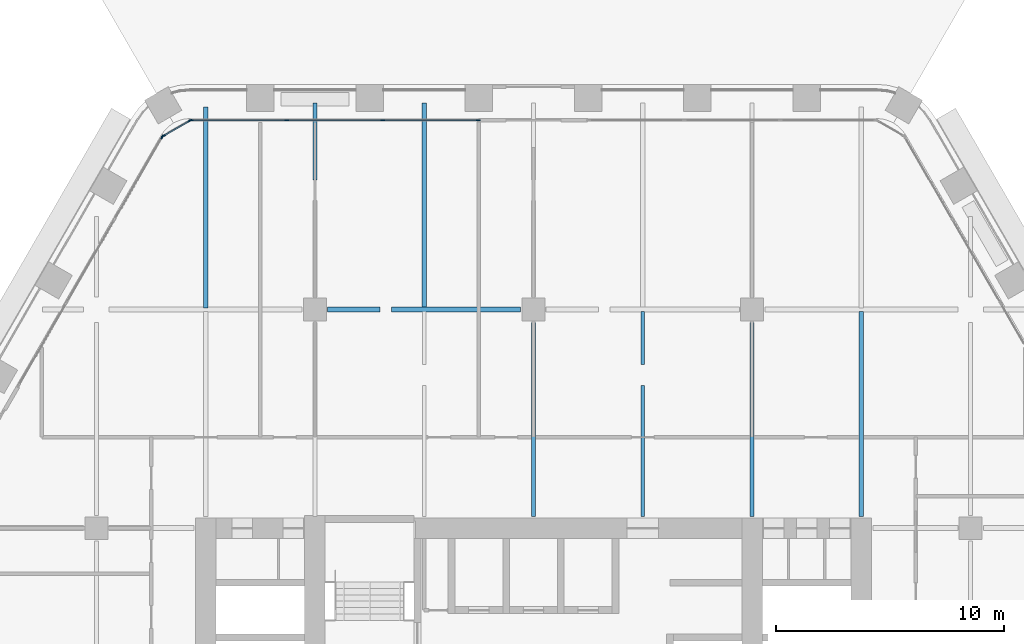
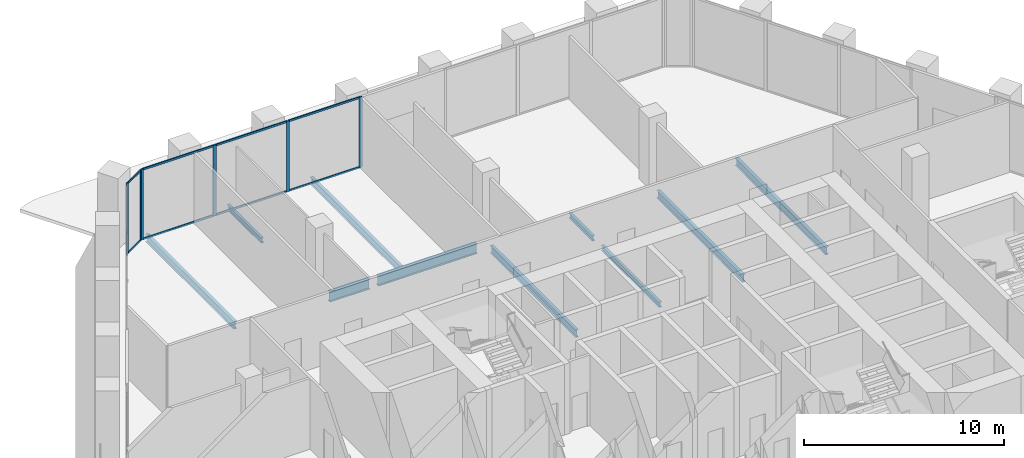
# One storey, part 7 of 23: 15 members, 10 beams, 3 elements without a shape of their own.
"""IFC4 building model written with IfcOpenShell, lengths in metres."""

from ifc_helpers import new_model, si_unit, direction, frame, origin, origin_2d, place, context, subcontext, project, spatial, rectangle, i_section, extrude, material, material_profile, profile_set, type_object, element, aggregate, save


model = new_model("IFC4")

# Units and contexts
model_context = context("Model", 3, precision=1e-05, world=origin(), true_north=direction((0.0, 1.0)))
body_context = subcontext(model_context, "Body", "Model", "MODEL_VIEW")
ifc_project = project(units=[si_unit("LENGTHUNIT", "METRE"), si_unit("AREAUNIT", "SQUARE_METRE"), si_unit("VOLUMEUNIT", "CUBIC_METRE"), si_unit("PLANEANGLEUNIT", "RADIAN"), si_unit("MASSUNIT", "GRAM", prefix="KILO")], contexts=[model_context])

# Site, building, storey
site_placement = place(None, origin())
site = spatial("IfcSite", under=ifc_project, at=site_placement, CompositionType="ELEMENT")
building_placement = place(site_placement, origin())
building = spatial("IfcBuilding", under=site, at=building_placement, Name="Kolab Exchange Tower", CompositionType="ELEMENT")
storey_placement = place(building_placement, frame((0.0, 0.0, 77.89990234375)))
storey = spatial("IfcBuildingStorey", under=building, at=storey_placement, Name="L14", CompositionType="ELEMENT", Elevation=77.89990234375)

# Beams
ifc_material_1 = material(Name="Steel S355", Category="steel")
ifc_material_profile_1 = material_profile(ifc_material_1, i_section(OverallWidth=0.1650390625, OverallDepth=0.31005859375, WebThickness=0.005859375, FlangeThickness=0.009765625, at=origin_2d()), Name="W310X39")
ifc_profile_set_1 = profile_set([ifc_material_profile_1], Name="Steel S355")
beam_type_1 = type_object("IfcBeamType", Name="FLOOR BEAM W310X39", PredefinedType="BEAM", material=ifc_profile_set_1)
beam_1_placement = place(storey_placement, frame((-9.60009765625, 24.892578125, -0.35498046875), z_axis=(0.0, 1.0, 0.0), x_axis=(-1.0, 0.0, 0.0)))
element("IfcBeam", 1, at=beam_1_placement, inside=storey, type_object=beam_type_1, Name="beam/L14/fr/020", PredefinedType="BEAM", context=body_context, shape_type="SweptSolid", body=[
    extrude(i_section(OverallWidth=0.1650390625, OverallDepth=0.31005859375, WebThickness=0.005859375, FlangeThickness=0.009765625, at=origin_2d()), origin(), (0.0, 0.0, 1.0), 3.39599609375),
])
beam_2_placement = place(storey_placement, frame((4.800048828125, 10.110107421875, -0.35498046875), z_axis=(0.0, 1.0, 0.0), x_axis=(-1.0, 0.0, 0.0)))
element("IfcBeam", 2, at=beam_2_placement, inside=storey, type_object=beam_type_1, Name="beam/L14/fr/036", PredefinedType="BEAM", context=body_context, shape_type="SweptSolid", body=[
    extrude(i_section(OverallWidth=0.1650390625, OverallDepth=0.31005859375, WebThickness=0.005859375, FlangeThickness=0.009765625, at=origin_2d()), origin(), (0.0, 0.0, 1.0), 5.7666015625),
])
beam_3_placement = place(storey_placement, frame((4.800048828125, 16.77880859375, -0.35498046875), z_axis=(0.0, 1.0, 0.0), x_axis=(-1.0, 0.0, 0.0)))
element("IfcBeam", 3, at=beam_3_placement, inside=storey, type_object=beam_type_1, Name="beam/L14/fr/037", PredefinedType="BEAM", context=body_context, shape_type="SweptSolid", body=[
    extrude(i_section(OverallWidth=0.1650390625, OverallDepth=0.31005859375, WebThickness=0.005859375, FlangeThickness=0.009765625, at=origin_2d()), origin(), (0.0, 0.0, 1.0), 2.34716796875),
])
ifc_material_profile_2 = material_profile(ifc_material_1, i_section(OverallWidth=0.18994140625, OverallDepth=0.45703125, WebThickness=0.009033203125, FlangeThickness=0.014404296875, at=origin_2d()), Name="W460X74")
ifc_profile_set_2 = profile_set([ifc_material_profile_2], Name="Steel S355")
beam_type_2 = type_object("IfcBeamType", Name="FLOOR BEAM W460X74", PredefinedType="BEAM", material=ifc_profile_set_2)
beam_4_placement = place(storey_placement, frame((-14.39990234375, 19.27392578125, -0.428466796875), z_axis=(0.0, 1.0, 0.0), x_axis=(-1.0, 0.0, 0.0)))
element("IfcBeam", 4, at=beam_4_placement, inside=storey, type_object=beam_type_2, Name="beam/L14/fr/015", PredefinedType="BEAM", context=body_context, shape_type="SweptSolid", body=[
    extrude(i_section(OverallWidth=0.18994140625, OverallDepth=0.45703125, WebThickness=0.009033203125, FlangeThickness=0.014404296875, at=origin_2d()), origin(), (0.0, 0.0, 1.0), 8.8330078125),
])
beam_5_placement = place(storey_placement, frame((-4.800048828125, 19.27392578125, -0.428466796875), z_axis=(0.0, 1.0, 0.0), x_axis=(-1.0, 0.0, 0.0)))
element("IfcBeam", 5, at=beam_5_placement, inside=storey, type_object=beam_type_2, Name="beam/L14/fr/026", PredefinedType="BEAM", context=body_context, shape_type="SweptSolid", body=[
    extrude(i_section(OverallWidth=0.18994140625, OverallDepth=0.45703125, WebThickness=0.009033203125, FlangeThickness=0.014404296875, at=origin_2d()), origin(), (0.0, 0.0, 1.0), 9.0146484375),
])
for number, where, z_axis, x_axis, name in (
    (6, (0.0, 10.110107421875, -0.428466796875), (0.0, 1.0, 0.0), (-1.0, 0.0, 0.0), "beam/L14/fr/030"),
    (7, (9.60009765625, 10.110107421875, -0.428466796875), (0.0, 1.0, 0.0), (-1.0, 0.0, 0.0), "beam/L14/fr/042"),
):
    element("IfcBeam", number, at=place(storey_placement, frame(where, z_axis=z_axis, x_axis=x_axis)), inside=storey, type_object=beam_type_2, Name=name, PredefinedType="BEAM", context=body_context, shape_type="SweptSolid", body=[
        extrude(i_section(OverallWidth=0.18994140625, OverallDepth=0.45703125, WebThickness=0.009033203125, FlangeThickness=0.014404296875, at=origin_2d()), origin(), (0.0, 0.0, 1.0), 8.52978515625),
    ])
beam_6_placement = place(storey_placement, frame((14.39990234375, 10.110107421875, -0.428466796875), z_axis=(0.0, 1.0, 0.0), x_axis=(-1.0, 0.0, 0.0)))
element("IfcBeam", 8, at=beam_6_placement, inside=storey, type_object=beam_type_2, Name="beam/L14/fr/046", PredefinedType="BEAM", context=body_context, shape_type="SweptSolid", body=[
    extrude(i_section(OverallWidth=0.18994140625, OverallDepth=0.45703125, WebThickness=0.009033203125, FlangeThickness=0.014404296875, at=origin_2d()), origin(), (0.0, 0.0, 1.0), 9.015869140625),
])
ifc_material_profile_3 = material_profile(ifc_material_1, i_section(OverallWidth=0.22802734375, OverallDepth=0.60791015625, WebThickness=0.01123046875, FlangeThickness=0.017333984375, at=origin_2d()), Name="W610X113")
ifc_profile_set_3 = profile_set([ifc_material_profile_3], Name="Steel S355")
beam_type_3 = type_object("IfcBeamType", Name="FLOOR GIRDER W610X113", PredefinedType="BEAM", material=ifc_profile_set_3)
beam_7_placement = place(storey_placement, frame((-9.0400390625, 19.199951171875, -0.50390625), z_axis=(1.0, 0.0, 0.0), x_axis=(0.0, 1.0, 0.0)))
element("IfcBeam", 9, at=beam_7_placement, inside=storey, type_object=beam_type_3, Name="beam/L14/gd/012", PredefinedType="BEAM", context=body_context, shape_type="SweptSolid", body=[
    extrude(i_section(OverallWidth=0.22802734375, OverallDepth=0.60791015625, WebThickness=0.01123046875, FlangeThickness=0.017333984375, at=origin_2d()), origin(), (0.0, 0.0, 1.0), 2.290283203125),
])
beam_8_placement = place(storey_placement, frame((-6.248779296875, 19.199951171875, -0.50390625), z_axis=(1.0, 0.0, 0.0), x_axis=(0.0, 1.0, 0.0)))
element("IfcBeam", 10, at=beam_8_placement, inside=storey, type_object=beam_type_3, Name="beam/L14/gd/013", PredefinedType="BEAM", context=body_context, shape_type="SweptSolid", body=[
    extrude(i_section(OverallWidth=0.22802734375, OverallDepth=0.60791015625, WebThickness=0.01123046875, FlangeThickness=0.017333984375, at=origin_2d()), origin(), (0.0, 0.0, 1.0), 5.688720703125),
])

# Curtain wall, members
ifc_material_2 = material(Name="Aluminium EN AW-6063 T6", Category="aluminium")
curtain_wall_type = type_object("IfcCurtainWallType", Name="UNITISED LOWER MID ZONE CURTAIN WALL", PredefinedType="NOTDEFINED", material=ifc_material_2)
curtain_wall_1_placement = place(storey_placement, origin())
curtain_wall_1 = element("IfcCurtainWall", 11, at=curtain_wall_1_placement, inside=storey, type_object=curtain_wall_type, Name="cw/L14/F1-1", PredefinedType="NOTDEFINED")
ifc_material_profile_4 = material_profile(ifc_material_2, rectangle(XDim=0.06005859375, YDim=0.179931640625, at=origin_2d()), Name="RECT 60X180")
ifc_profile_set_4 = profile_set([ifc_material_profile_4], Name="Aluminium EN AW-6063 T6")
member_type_1 = type_object("IfcMemberType", Name="UNITISED LOWER MID ZONE MULLION 60 X 180", PredefinedType="MULLION", material=ifc_profile_set_4)
member_1_placement = place(storey_placement, frame((-15.037841796875, 27.5185546875, 0.0), z_axis=(0.0, 0.0, 1.0), x_axis=(0.0, 1.0, 0.0)))
member_1 = element("IfcMember", 12, at=member_1_placement, type_object=member_type_1, Name="CW2 mullion 1", PredefinedType="MULLION", context=body_context, shape_type="SweptSolid", body=[
    extrude(rectangle(XDim=0.06005859375, YDim=0.179931640625, at=origin_2d()), origin(), (0.0, 0.0, 1.0), 4.300048828125),
])
member_2_placement = place(storey_placement, frame((-10.84521484375, 27.5185546875, 0.0), z_axis=(0.0, 0.0, 1.0), x_axis=(0.0, 1.0, 0.0)))
member_2 = element("IfcMember", 13, at=member_2_placement, type_object=member_type_1, Name="CW2 mullion 2", PredefinedType="MULLION", context=body_context, shape_type="SweptSolid", body=[
    extrude(rectangle(XDim=0.06005859375, YDim=0.179931640625, at=origin_2d()), origin(), (0.0, 0.0, 1.0), 4.300048828125),
])
member_3_placement = place(storey_placement, frame((-6.62255859375, 27.5185546875, 0.0), z_axis=(0.0, 0.0, 1.0), x_axis=(0.0, 1.0, 0.0)))
member_3 = element("IfcMember", 14, at=member_3_placement, type_object=member_type_1, Name="CW2 mullion 3", PredefinedType="MULLION", context=body_context, shape_type="SweptSolid", body=[
    extrude(rectangle(XDim=0.06005859375, YDim=0.179931640625, at=origin_2d()), origin(), (0.0, 0.0, 1.0), 4.300048828125),
])
member_4_placement = place(storey_placement, frame((-2.429931640625, 27.5185546875, 0.0), z_axis=(0.0, 0.0, 1.0), x_axis=(0.0, 1.0, 0.0)))
member_4 = element("IfcMember", 15, at=member_4_placement, type_object=member_type_1, Name="CW2 mullion 4", PredefinedType="MULLION", context=body_context, shape_type="SweptSolid", body=[
    extrude(rectangle(XDim=0.06005859375, YDim=0.179931640625, at=origin_2d()), origin(), (0.0, 0.0, 1.0), 4.300048828125),
])

# Curtain wall, member
curtain_wall_2_placement = place(storey_placement, origin())
curtain_wall_2 = element("IfcCurtainWall", 16, at=curtain_wall_2_placement, inside=storey, type_object=curtain_wall_type, Name="cw/L14/F6-2", PredefinedType="NOTDEFINED")
member_5_placement = place(storey_placement, frame((-16.312744140625, 26.782470703125, 0.0), z_axis=(0.0, 0.0, 1.0), x_axis=(-0.866025393644, 0.500000017564, 0.0)))
member_5 = element("IfcMember", 17, at=member_5_placement, type_object=member_type_1, Name="CW2 mullion 4", PredefinedType="MULLION", context=body_context, shape_type="SweptSolid", body=[
    extrude(rectangle(XDim=0.06005859375, YDim=0.179931640625, at=origin_2d()), origin(), (0.0, 0.0, 1.0), 4.300048828125),
])
aggregate(curtain_wall_2, [member_5])

# Curtain wall, members
curtain_wall_3_placement = place(storey_placement, origin())
curtain_wall_3 = element("IfcCurtainWall", 18, at=curtain_wall_3_placement, inside=storey, type_object=curtain_wall_type, Name="cw/L14/F6F1-corner", PredefinedType="NOTDEFINED")
member_6_placement = place(storey_placement, frame((-16.271728515625, 26.823486328125, 0.0), z_axis=(0.0, 0.0, 1.0), x_axis=(-0.50000002237, 0.866025390869, 0.0)))
member_6 = element("IfcMember", 19, at=member_6_placement, type_object=member_type_1, Name="CW2 mullion 1", PredefinedType="MULLION", context=body_context, shape_type="SweptSolid", body=[
    extrude(rectangle(XDim=0.06005859375, YDim=0.179931640625, at=origin_2d()), origin(), (0.0, 0.0, 1.0), 4.300048828125),
])
member_7_placement = place(storey_placement, frame((-15.093994140625, 27.50341796875, 0.0), z_axis=(0.0, 0.0, 1.0), x_axis=(-0.50000002237, 0.866025390869, 0.0)))
member_7 = element("IfcMember", 20, at=member_7_placement, type_object=member_type_1, Name="CW2 mullion 2", PredefinedType="MULLION", context=body_context, shape_type="SweptSolid", body=[
    extrude(rectangle(XDim=0.06005859375, YDim=0.179931640625, at=origin_2d()), origin(), (0.0, 0.0, 1.0), 4.300048828125),
])

# Member
ifc_material_profile_5 = material_profile(ifc_material_2, rectangle(XDim=0.06005859375, YDim=0.1201171875, at=origin_2d()), Name="RECT 60X120")
ifc_profile_set_5 = profile_set([ifc_material_profile_5], Name="Aluminium EN AW-6063 T6")
member_type_2 = type_object("IfcMemberType", Name="UNITISED LOWER MID ZONE TRANSOM 60 X 120", PredefinedType="USERDEFINED", material=ifc_profile_set_5)
member_8_placement = place(storey_placement, frame((-15.008056640625, 27.5185546875, 0.030029296875), z_axis=(1.0, 0.0, 0.0), x_axis=(0.0, 1.0, 0.0)))
member_8 = element("IfcMember", 21, at=member_8_placement, type_object=member_type_2, Name="CW2 transom 1.1", ObjectType="TRANSOM", PredefinedType="USERDEFINED", context=body_context, shape_type="SweptSolid", body=[
    extrude(rectangle(XDim=0.06005859375, YDim=0.1201171875, at=origin_2d()), origin(), (0.0, 0.0, 1.0), 4.1328125),
])

member_9_placement = place(storey_placement, frame((-15.008056640625, 27.5185546875, 4.27001953125), z_axis=(1.0, 0.0, 0.0), x_axis=(0.0, 1.0, 0.0)))
member_9 = element("IfcMember", 22, at=member_9_placement, type_object=member_type_2, Name="CW2 transom 1.2", ObjectType="TRANSOM", PredefinedType="USERDEFINED", context=body_context, shape_type="SweptSolid", body=[
    extrude(rectangle(XDim=0.06005859375, YDim=0.1201171875, at=origin_2d()), origin(), (0.0, 0.0, 1.0), 4.1328125),
])

member_10_placement = place(storey_placement, frame((-10.815185546875, 27.5185546875, 0.030029296875), z_axis=(1.0, 0.0, 0.0), x_axis=(0.0, 1.0, 0.0)))
member_10 = element("IfcMember", 23, at=member_10_placement, type_object=member_type_2, Name="CW2 transom 2.1", ObjectType="TRANSOM", PredefinedType="USERDEFINED", context=body_context, shape_type="SweptSolid", body=[
    extrude(rectangle(XDim=0.06005859375, YDim=0.1201171875, at=origin_2d()), origin(), (0.0, 0.0, 1.0), 4.16259765625),
])

member_11_placement = place(storey_placement, frame((-10.815185546875, 27.5185546875, 4.27001953125), z_axis=(1.0, 0.0, 0.0), x_axis=(0.0, 1.0, 0.0)))
member_11 = element("IfcMember", 24, at=member_11_placement, type_object=member_type_2, Name="CW2 transom 2.2", ObjectType="TRANSOM", PredefinedType="USERDEFINED", context=body_context, shape_type="SweptSolid", body=[
    extrude(rectangle(XDim=0.06005859375, YDim=0.1201171875, at=origin_2d()), origin(), (0.0, 0.0, 1.0), 4.16259765625),
])

member_12_placement = place(storey_placement, frame((-6.592529296875, 27.5185546875, 0.030029296875), z_axis=(1.0, 0.0, 0.0), x_axis=(0.0, 1.0, 0.0)))
member_12 = element("IfcMember", 25, at=member_12_placement, type_object=member_type_2, Name="CW2 transom 3.1", ObjectType="TRANSOM", PredefinedType="USERDEFINED", context=body_context, shape_type="SweptSolid", body=[
    extrude(rectangle(XDim=0.06005859375, YDim=0.1201171875, at=origin_2d()), origin(), (0.0, 0.0, 1.0), 4.132568359375),
])

member_13_placement = place(storey_placement, frame((-6.592529296875, 27.5185546875, 4.27001953125), z_axis=(1.0, 0.0, 0.0), x_axis=(0.0, 1.0, 0.0)))
member_13 = element("IfcMember", 26, at=member_13_placement, type_object=member_type_2, Name="CW2 transom 3.2", ObjectType="TRANSOM", PredefinedType="USERDEFINED", context=body_context, shape_type="SweptSolid", body=[
    extrude(rectangle(XDim=0.06005859375, YDim=0.1201171875, at=origin_2d()), origin(), (0.0, 0.0, 1.0), 4.132568359375),
])

aggregate(curtain_wall_1, [member_1, member_2, member_3, member_4, member_8, member_9, member_10, member_11, member_12, member_13])

member_14_placement = place(storey_placement, frame((-16.245849609375, 26.83837890625, 0.030029296875), z_axis=(0.866004217611, 0.500036693733, 0.0), x_axis=(-0.500036693733, 0.866004217611, 0.0)))
member_14 = element("IfcMember", 27, at=member_14_placement, type_object=member_type_2, Name="CW2 transom 1.1", ObjectType="TRANSOM", PredefinedType="USERDEFINED", context=body_context, shape_type="SweptSolid", body=[
    extrude(rectangle(XDim=0.06005859375, YDim=0.1201171875, at=origin_2d()), origin(), (0.0, 0.0, 1.0), 1.30029296875),
])

member_15_placement = place(storey_placement, frame((-16.245849609375, 26.83837890625, 4.27001953125), z_axis=(0.866004217611, 0.500036693733, 0.0), x_axis=(-0.500036693733, 0.866004217611, 0.0)))
member_15 = element("IfcMember", 28, at=member_15_placement, type_object=member_type_2, Name="CW2 transom 1.2", ObjectType="TRANSOM", PredefinedType="USERDEFINED", context=body_context, shape_type="SweptSolid", body=[
    extrude(rectangle(XDim=0.06005859375, YDim=0.1201171875, at=origin_2d()), origin(), (0.0, 0.0, 1.0), 1.30029296875),
])

aggregate(curtain_wall_3, [member_6, member_7, member_14, member_15])

save(model, "model.ifc")
